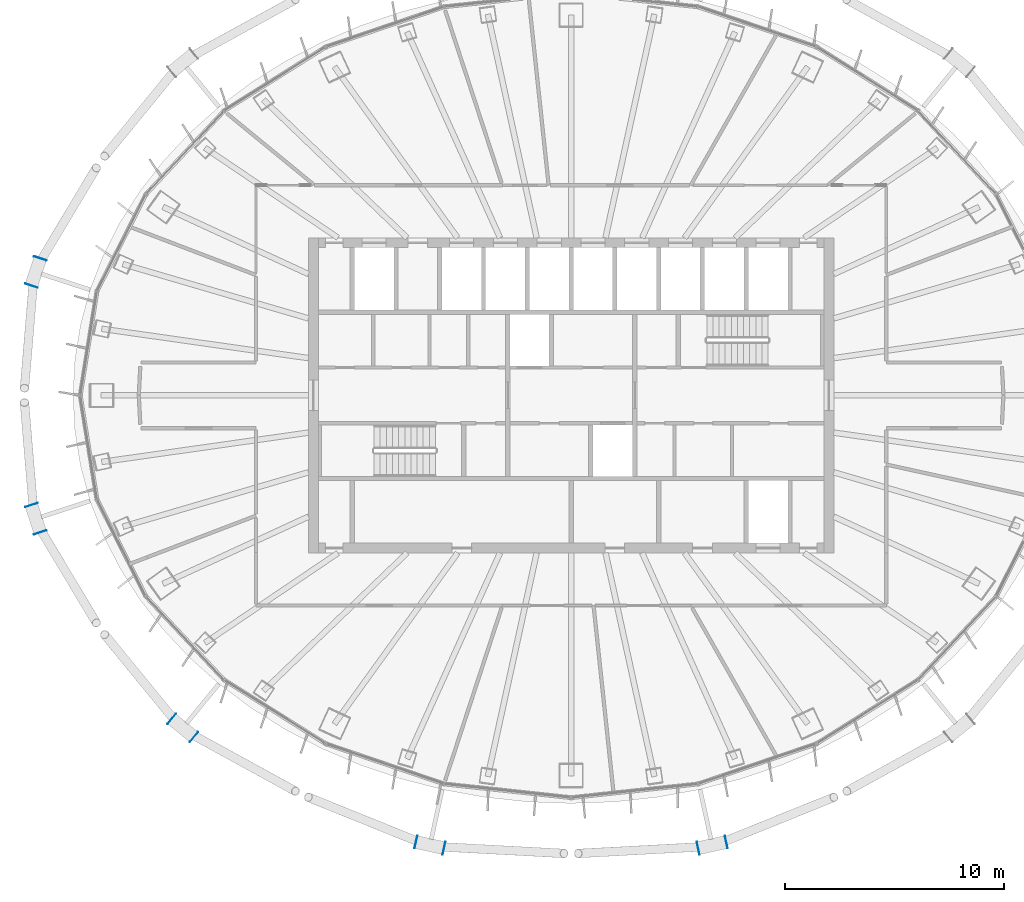
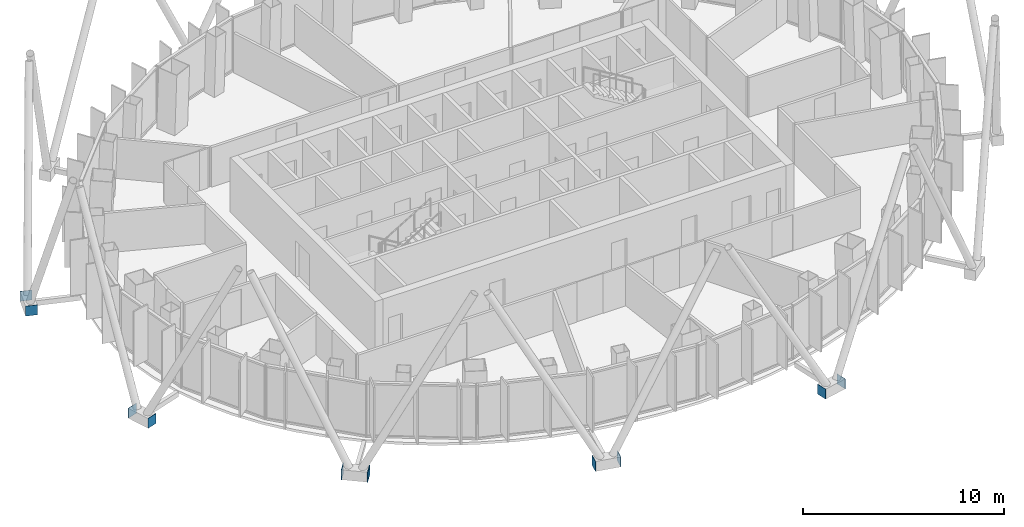
# One storey, part 12 of 18: 10 discrete accessories.
"""IFC4 building model written with IfcOpenShell, lengths in metres."""

from ifc_helpers import new_model, si_unit, direction, frame, origin, origin_2d, place, context, subcontext, project, spatial, rectangle, extrude, material, layer, layer_set, type_object, element, save


model = new_model("IFC4")

# Units and contexts
model_context = context("Model", 3, precision=1e-05, world=origin(), true_north=direction((0.0, 1.0)))
body_context = subcontext(model_context, "Body", "Model", "MODEL_VIEW")
ifc_project = project(units=[si_unit("LENGTHUNIT", "METRE"), si_unit("AREAUNIT", "SQUARE_METRE"), si_unit("VOLUMEUNIT", "CUBIC_METRE"), si_unit("PLANEANGLEUNIT", "RADIAN"), si_unit("MASSUNIT", "GRAM", prefix="KILO")], contexts=[model_context])

# Site, building, storey
site_placement = place(None, origin())
site = spatial("IfcSite", under=ifc_project, at=site_placement, CompositionType="ELEMENT")
building_placement = place(site_placement, origin())
building = spatial("IfcBuilding", under=site, at=building_placement, Name="Siaravel Broadcast Tower", CompositionType="ELEMENT")
storey_placement = place(building_placement, frame((0.0, 0.0, 201.5)))
storey = spatial("IfcBuildingStorey", under=building, at=storey_placement, Name="L49", CompositionType="ELEMENT", Elevation=201.5)

# Discrete accessories
ifc_material = material(Name="Steel S355", Category="steel")
ifc_layer = layer(ifc_material, 0.02001953125)
ifc_layer_set = layer_set([ifc_layer], Name="Steel S355")
discrete_accessory_type = type_object("IfcDiscreteAccessoryType", Name="Steel end plate 20 mm", PredefinedType="USERDEFINED", material=ifc_layer_set)
for number, where, z_axis, x_axis, name in (
    (1, (-24.66015625, 5.009521484375, -0.5), (0.0, 0.0, 1.0), (-0.310910334, -0.950439248, 0.0), "End plate R20 station 33A"),
    (2, (-24.251708984375, 6.2578125, -0.5), (0.0, 0.0, 1.0), (-0.310910334, -0.950439248, 0.0), "End plate R20 station 33B"),
    (3, (-24.251708984375, -6.2578125, -0.5), (0.0, 0.0, 1.0), (0.310910334, -0.950439248, 0.0), "End plate R20 station 39A"),
    (4, (-24.66015625, -5.009521484375, -0.5), (0.0, 0.0, 1.0), (0.310910334, -0.950439248, 0.0), "End plate R20 station 39B"),
    (5, (-17.2333984375, -15.610107421875, -0.5), (0.0, 0.0, 1.0), (0.773604694, -0.633668508, 0.0), "End plate R20 station 45A"),
    (6, (-18.24951171875, -14.778076171875, -0.5), (0.0, 0.0, 1.0), (0.773604694, -0.633668508, 0.0), "End plate R20 station 45B"),
    (7, (-5.806640625, -20.688232421875, -0.5), (0.0, 0.0, 1.0), (0.976750917, -0.214377344, 0.0), "End plate R20 station 51A"),
    (8, (-7.089599609375, -20.40673828125, -0.5), (0.0, 0.0, 1.0), (0.976750917, -0.214377344, 0.0), "End plate R20 station 51B"),
    (9, (7.089599609375, -20.40673828125, -0.5), (0.0, 0.0, 1.0), (0.976750917, 0.214377344, 0.0), "End plate R20 station 57A"),
    (10, (5.806640625, -20.688232421875, -0.5), (0.0, 0.0, 1.0), (0.976750917, 0.214377344, 0.0), "End plate R20 station 57B"),
):
    element("IfcDiscreteAccessory", number, at=place(storey_placement, frame(where, z_axis=z_axis, x_axis=x_axis)), inside=storey, type_object=discrete_accessory_type, Name=name, ObjectType="END PLATE", PredefinedType="USERDEFINED", context=body_context, shape_type="SweptSolid", body=[
        extrude(rectangle(XDim=0.02001953125, YDim=0.60009765625, at=origin_2d()), origin(), (0.0, 0.0, 1.0), 0.60009765625),
    ])

save(model, "model.ifc")
